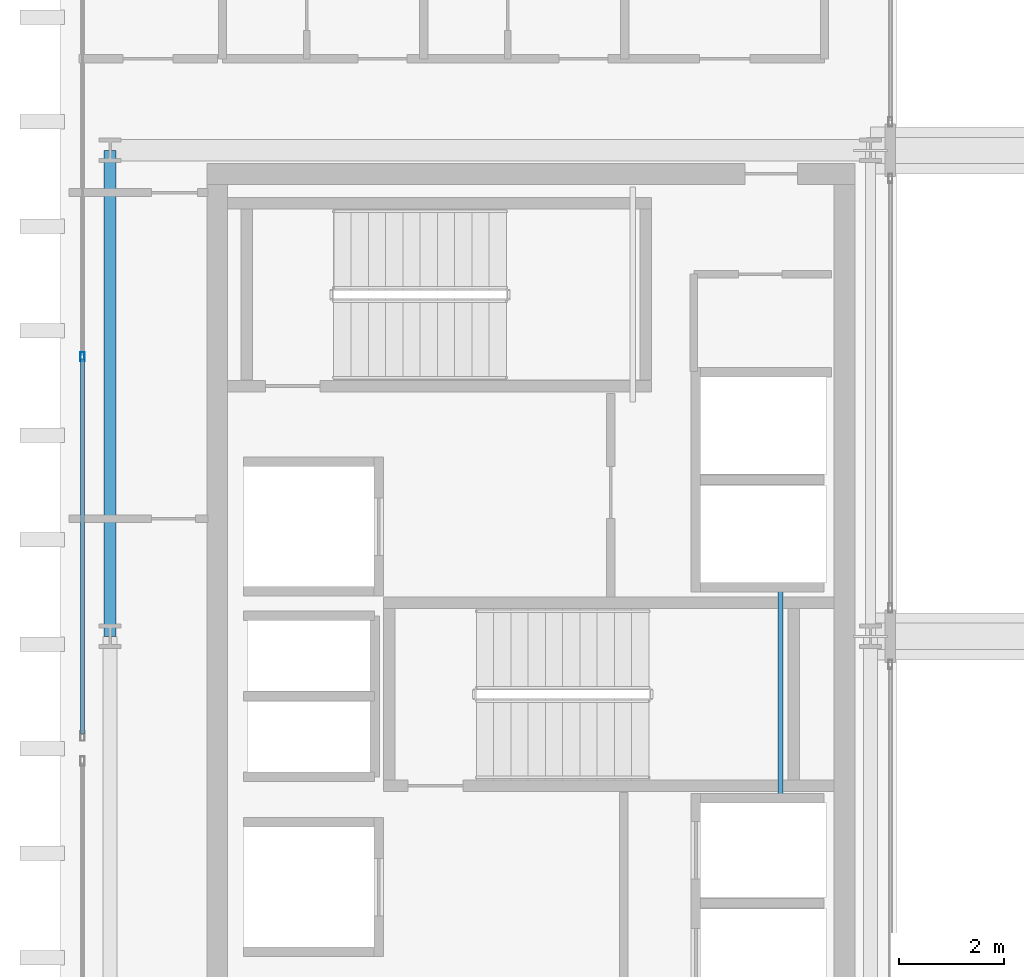
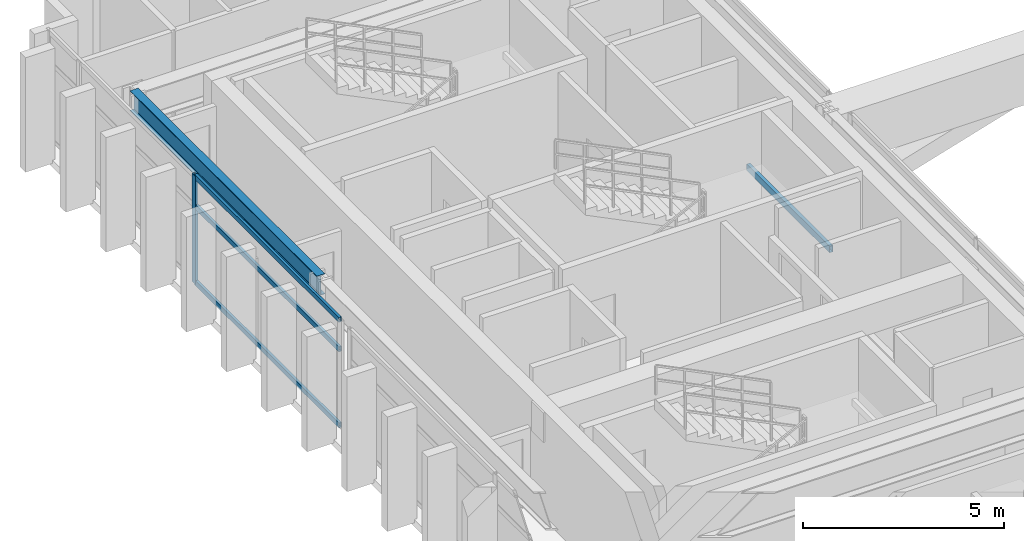
# One storey, part 6 of 28: 4 members, 2 beams, 1 element without a shape of its own.
"""IFC4 building model written with IfcOpenShell, lengths in metres."""

from ifc_helpers import new_model, si_unit, direction, frame, origin, origin_2d, place, context, subcontext, project, spatial, hollow_rectangle, i_section, extrude, source, transform, mapped, material, layer, layer_set, material_profile, profile_set, type_object, element, aggregate, save


model = new_model("IFC4")

# Units and contexts
model_context = context("Model", 3, precision=1e-05, world=origin(), true_north=direction((0.0, 1.0)))
body_context = subcontext(model_context, "Body", "Model", "MODEL_VIEW")
ifc_project = project(units=[si_unit("LENGTHUNIT", "METRE"), si_unit("AREAUNIT", "SQUARE_METRE"), si_unit("VOLUMEUNIT", "CUBIC_METRE"), si_unit("PLANEANGLEUNIT", "RADIAN"), si_unit("MASSUNIT", "GRAM", prefix="KILO")], contexts=[model_context])

# Site, building, storey
site_placement = place(None, origin())
site = spatial("IfcSite", under=ifc_project, at=site_placement, CompositionType="ELEMENT")
building_placement = place(site_placement, origin())
building = spatial("IfcBuilding", under=site, at=building_placement, Name="Ocotamira Hotel", CompositionType="ELEMENT")
storey_placement = place(building_placement, frame((0.0, 0.0, 268.800048828125)))
storey = spatial("IfcBuildingStorey", under=building, at=storey_placement, Name="L68", CompositionType="ELEMENT", Elevation=268.800048828125)

# Beams
ifc_material_1 = material(Name="Steel ASTM A500 Grade C", Category="steel")
ifc_material_profile_1 = material_profile(ifc_material_1, hollow_rectangle(XDim=0.10009765625, YDim=0.199951171875, WallThickness=0.008056640625, at=origin_2d()), Name="HSS200X100X8")
ifc_profile_set_1 = profile_set([ifc_material_profile_1], Name="Steel ASTM A500 Grade C")
beam_type_1 = type_object("IfcBeamType", Name="BM-STLDG-HSS200", PredefinedType="BEAM", material=ifc_profile_set_1)
shared_shape_1 = source(origin(), body_context, "Body", "SweptSolid", [
    extrude(hollow_rectangle(XDim=0.10009765625, YDim=0.199951171875, WallThickness=0.008056640625, at=origin_2d()), origin(), (0.0, 0.0, 1.0), 4.1201171875),
])
beam_1_placement = place(storey_placement, frame((21.780029296875, 24.97998046875, 1.5), z_axis=(0.0, 1.0, 0.0), x_axis=(-1.0, 0.0, 0.0)))
element("IfcBeam", 1, at=beam_1_placement, inside=storey, type_object=beam_type_1, Name="L68 Stair ST-3 Landing Bearer 1", PredefinedType="BEAM", context=body_context, shape_type="MappedRepresentation", body=[
    mapped(shared_shape_1, transform((0.0, 0.0, 0.0), scale=1.0)),
])
ifc_material_2 = material(Name="Steel ASTM A992 Grade 50", Category="steel")
ifc_material_profile_2 = material_profile(ifc_material_2, i_section(OverallWidth=0.22998046875, OverallDepth=0.616943359375, WebThickness=0.01318359375, FlangeThickness=0.022216796875, FilletRadius=0.012939453125, at=origin_2d()), Name="W24X94")
ifc_profile_set_2 = profile_set([ifc_material_profile_2], Name="Steel ASTM A992 Grade 50")
beam_type_2 = type_object("IfcBeamType", Name="BM-PRIM-W24X94", PredefinedType="BEAM", material=ifc_profile_set_2)
shared_shape_2 = source(origin(), body_context, "Body", "SweptSolid", [
    extrude(i_section(OverallWidth=0.22998046875, OverallDepth=0.616943359375, WebThickness=0.01318359375, FlangeThickness=0.022216796875, FilletRadius=0.012939453125, at=origin_2d()), origin(), (0.0, 0.0, 1.0), 9.300048828125),
])
beam_2_placement = place(storey_placement, frame((8.949951171875, 28.14990234375, 2.971435546875), z_axis=(0.0, 1.0, 0.0), x_axis=(-1.0, 0.0, 0.0)))
element("IfcBeam", 2, at=beam_2_placement, inside=storey, type_object=beam_type_2, Name="L68 Beam X8.95 Y28.15-37.45", PredefinedType="BEAM", context=body_context, shape_type="MappedRepresentation", body=[
    mapped(shared_shape_2, transform((0.0, 0.0, 0.0), scale=1.0)),
])

# Curtain wall, members
ifc_material_3 = material(Name="Anodised pale-metal aluminium and solar glass", Category="aluminium")
ifc_layer = layer(ifc_material_3, 0.2099609375)
ifc_layer_set = layer_set([ifc_layer], Name="Anodised pale-metal aluminium and solar glass")
curtain_wall_type = type_object("IfcCurtainWallType", Name="CW-SYS7-PEAK", PredefinedType="NOTDEFINED", material=ifc_layer_set)
curtain_wall_placement = place(storey_placement, origin())
curtain_wall = element("IfcCurtainWall", 3, at=curtain_wall_placement, inside=storey, type_object=curtain_wall_type, Name="L68 Curtain Wall CW-7 CW-L68-WO2", PredefinedType="NOTDEFINED")
ifc_material_4 = material(Name="Anodised pale-metal aluminium 6063-T6", Category="aluminium")
ifc_material_profile_3 = material_profile(ifc_material_4, hollow_rectangle(XDim=0.080078125, YDim=0.179931640625, WallThickness=0.006103515625, at=origin_2d()), Name="HSS180X80X6")
ifc_profile_set_3 = profile_set([ifc_material_profile_3], Name="Anodised pale-metal aluminium 6063-T6")
member_type_1 = type_object("IfcMemberType", Name="CWM-180X75", PredefinedType="MULLION", material=ifc_profile_set_3)
shared_shape_3 = source(origin(), body_context, "Body", "SweptSolid", [
    extrude(hollow_rectangle(XDim=0.080078125, YDim=0.179931640625, WallThickness=0.006103515625, at=origin_2d()), origin(), (0.0, 0.0, 1.0), 3.280029296875),
])
member_1_placement = place(storey_placement, frame((8.419921875, 33.5, 0.0), z_axis=(0.0, 0.0, 1.0), x_axis=(-1.0, 0.0, 0.0)))
member_1 = element("IfcMember", 4, at=member_1_placement, type_object=member_type_1, Name="CW-7 mullion 2", PredefinedType="MULLION", context=body_context, shape_type="MappedRepresentation", body=[
    mapped(shared_shape_3, transform((0.0, 0.0, 0.0), scale=1.0)),
])
ifc_material_profile_4 = material_profile(ifc_material_4, hollow_rectangle(XDim=0.074951171875, YDim=0.14990234375, WallThickness=0.006103515625, at=origin_2d()), Name="HSS150X75X6")
ifc_profile_set_4 = profile_set([ifc_material_profile_4], Name="Anodised pale-metal aluminium 6063-T6")
member_type_2 = type_object("IfcMemberType", Name="CWT-150X75", PredefinedType="USERDEFINED", material=ifc_profile_set_4)
shared_shape_4 = source(origin(), body_context, "Body", "SweptSolid", [
    extrude(hollow_rectangle(XDim=0.074951171875, YDim=0.14990234375, WallThickness=0.006103515625, at=origin_2d()), origin(), (0.0, 0.0, 1.0), 7.179931640625),
])
member_2_placement = place(storey_placement, frame((8.419921875, 26.280029296875, 0.037353515625), z_axis=(0.0, 1.0, 0.0), x_axis=(-1.0, 0.0, 0.0)))
member_2 = element("IfcMember", 5, at=member_2_placement, type_object=member_type_2, Name="CW-7 transom 1.1", ObjectType="TRANSOM", PredefinedType="USERDEFINED", context=body_context, shape_type="MappedRepresentation", body=[
    mapped(shared_shape_4, transform((0.0, 0.0, 0.0), scale=1.0)),
])
member_3_placement = place(storey_placement, frame((8.419921875, 26.280029296875, 2.349853515625), z_axis=(0.0, 1.0, 0.0), x_axis=(-1.0, 0.0, 0.0)))
member_3 = element("IfcMember", 6, at=member_3_placement, type_object=member_type_2, Name="CW-7 transom 1.2", ObjectType="TRANSOM", PredefinedType="USERDEFINED", context=body_context, shape_type="MappedRepresentation", body=[
    mapped(shared_shape_4, transform((0.0, 0.0, 0.0), scale=1.0)),
])
member_4_placement = place(storey_placement, frame((8.419921875, 26.280029296875, 3.242431640625), z_axis=(0.0, 1.0, 0.0), x_axis=(-1.0, 0.0, 0.0)))
member_4 = element("IfcMember", 7, at=member_4_placement, type_object=member_type_2, Name="CW-7 transom 1.3", ObjectType="TRANSOM", PredefinedType="USERDEFINED", context=body_context, shape_type="MappedRepresentation", body=[
    mapped(shared_shape_4, transform((0.0, 0.0, 0.0), scale=1.0)),
])
aggregate(curtain_wall, [member_1, member_2, member_3, member_4])

save(model, "model.ifc")
